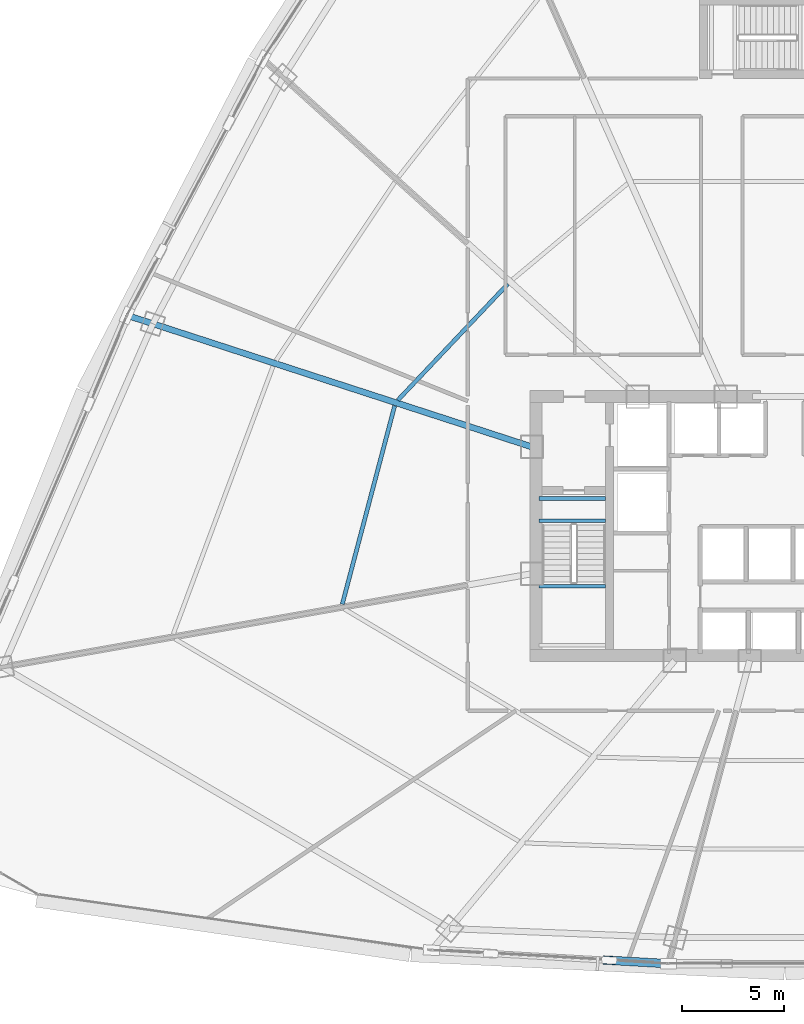
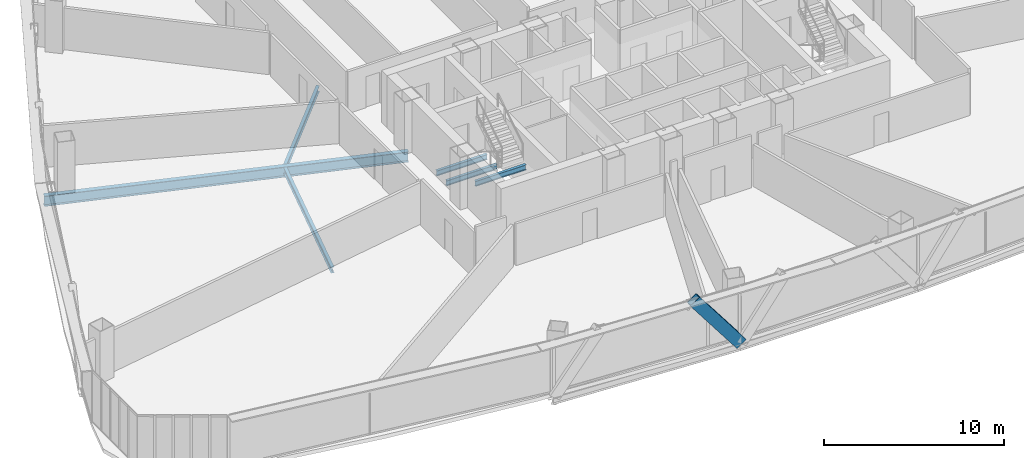
# One storey, part 9 of 41: 6 beams, 1 member.
"""IFC4 building model written with IfcOpenShell, lengths in metres."""

from ifc_helpers import new_model, si_unit, direction, frame, origin, origin_2d, place, context, subcontext, project, spatial, hollow_rectangle, i_section, extrude, source, transform, mapped, material, material_profile, profile_set, type_object, element, save


model = new_model("IFC4")

# Units and contexts
model_context = context("Model", 3, precision=1e-05, world=origin(), true_north=direction((0.0, 1.0)))
body_context = subcontext(model_context, "Body", "Model", "MODEL_VIEW")
ifc_project = project(units=[si_unit("LENGTHUNIT", "METRE"), si_unit("AREAUNIT", "SQUARE_METRE"), si_unit("VOLUMEUNIT", "CUBIC_METRE"), si_unit("PLANEANGLEUNIT", "RADIAN"), si_unit("MASSUNIT", "GRAM", prefix="KILO"), si_unit("THERMODYNAMICTEMPERATUREUNIT", "KELVIN"), si_unit("POWERUNIT", "WATT")], contexts=[model_context])

# Site, building, storey
site_placement = place(None, origin())
site = spatial("IfcSite", under=ifc_project, at=site_placement, CompositionType="ELEMENT")
building_placement = place(site_placement, origin())
building = spatial("IfcBuilding", under=site, at=building_placement, Name="Yunzhuo Pagoda Commons", CompositionType="ELEMENT")
storey_placement = place(building_placement, frame((0.0, 0.0, 111.580078125)))
storey = spatial("IfcBuildingStorey", under=building, at=storey_placement, Name="L28", CompositionType="ELEMENT", Elevation=111.580078125)

# Beams
ifc_material_1 = material(Name="Structural steel Q355B", Category="steel")
ifc_material_profile_1 = material_profile(ifc_material_1, i_section(OverallWidth=0.175048828125, OverallDepth=0.35009765625, WebThickness=0.007080078125, FlangeThickness=0.010986328125, at=origin_2d()), Name="Structural steel Q355B")
ifc_profile_set_1 = profile_set([ifc_material_profile_1], Name="Structural steel Q355B")
beam_type_1 = type_object("IfcBeamType", Name="B-JS2 Joist HN 350x175x7x11", PredefinedType="JOIST", material=ifc_profile_set_1)
shared_shape_1 = source(origin(), body_context, "Body", "SweptSolid", [
    extrude(i_section(OverallWidth=0.175048828125, OverallDepth=0.35009765625, WebThickness=0.007080078125, FlangeThickness=0.010986328125, at=origin_2d()), origin(), (0.0, 0.0, 1.0), 3.25),
])
for number, where, z_axis, x_axis, name in (
    (1, (35.949951171875, 30.89990234375, 1.525146484375), (1.0, 0.0, 0.0), (0.0, 1.0, 0.0), "L28 ST1 landing support beam 34B"),
    (2, (35.949951171875, 34.10009765625, -0.375), (1.0, 0.0, 0.0), (0.0, 1.0, 0.0), "L28 ST1 landing support beam 132A"),
    (3, (35.949951171875, 35.199951171875, -0.375), (1.0, 0.0, 0.0), (0.0, 1.0, 0.0), "L28 ST1 landing support beam 132B"),
):
    element("IfcBeam", number, at=place(storey_placement, frame(where, z_axis=z_axis, x_axis=x_axis)), inside=storey, type_object=beam_type_1, Name=name, PredefinedType="JOIST", context=body_context, shape_type="MappedRepresentation", body=[
        mapped(shared_shape_1, transform((0.0, 0.0, 0.0), scale=1.0)),
    ])
ifc_material_profile_2 = material_profile(ifc_material_1, i_section(OverallWidth=0.199951171875, OverallDepth=0.39990234375, WebThickness=0.008056640625, FlangeThickness=0.012939453125, at=origin_2d()), Name="Structural steel Q355B")
ifc_profile_set_2 = profile_set([ifc_material_profile_2], Name="Structural steel Q355B")
beam_type_2 = type_object("IfcBeamType", Name="B-JS1 Joist HN 400x200x8x13", PredefinedType="JOIST", material=ifc_profile_set_2)
shared_shape_2 = source(origin(), body_context, "Body", "SweptSolid", [
    extrude(i_section(OverallWidth=0.199951171875, OverallDepth=0.39990234375, WebThickness=0.008056640625, FlangeThickness=0.012939453125, at=origin_2d()), origin(), (0.0, 0.0, 1.0), 10.0634765625),
])
beam_1_placement = place(storey_placement, frame((28.86669921875, 39.749755859375, -0.4599609375), z_axis=(-0.255289713136, -0.966864603948, 0.0), x_axis=(0.966864603948, -0.255289713136, 0.0)))
element("IfcBeam", 4, at=beam_1_placement, inside=storey, type_object=beam_type_2, Name="L28 composite ring joist 1.11", PredefinedType="JOIST", context=body_context, shape_type="MappedRepresentation", body=[
    mapped(shared_shape_2, transform((0.0, 0.0, 0.0), scale=1.0)),
])
shared_shape_3 = source(origin(), body_context, "Body", "SweptSolid", [
    extrude(i_section(OverallWidth=0.199951171875, OverallDepth=0.39990234375, WebThickness=0.008056640625, FlangeThickness=0.012939453125, at=origin_2d()), origin(), (0.0, 0.0, 1.0), 7.85009765625),
])
beam_2_placement = place(storey_placement, frame((34.41357421875, 45.719482421875, -0.4599609375), z_axis=(-0.687513423145, -0.726171669095, 0.0), x_axis=(0.726171669095, -0.687513423145, 0.0)))
element("IfcBeam", 5, at=beam_2_placement, inside=storey, type_object=beam_type_2, Name="L28 composite ring joist 1.10", PredefinedType="JOIST", context=body_context, shape_type="MappedRepresentation", body=[
    mapped(shared_shape_3, transform((0.0, 0.0, 0.0), scale=1.0)),
])
ifc_material_profile_3 = material_profile(ifc_material_1, i_section(OverallWidth=0.300048828125, OverallDepth=0.699951171875, WebThickness=0.012939453125, FlangeThickness=0.02392578125, at=origin_2d()), Name="Structural steel Q355B")
ifc_profile_set_3 = profile_set([ifc_material_profile_3], Name="Structural steel Q355B")
beam_type_3 = type_object("IfcBeamType", Name="B-RG1 Beam HN 700x300x13x24", PredefinedType="BEAM", material=ifc_profile_set_3)
shared_shape_4 = source(origin(), body_context, "Body", "SweptSolid", [
    extrude(i_section(OverallWidth=0.300048828125, OverallDepth=0.699951171875, WebThickness=0.012939453125, FlangeThickness=0.02392578125, at=origin_2d()), origin(), (0.0, 0.0, 1.0), 20.725341796875),
])
beam_3_placement = place(storey_placement, frame((15.88916015625, 44.13330078125, -0.610107421875), z_axis=(0.951058997127, -0.309009359055, 0.0), x_axis=(0.309009359055, 0.951058997127, 0.0)))
element("IfcBeam", 6, at=beam_3_placement, inside=storey, type_object=beam_type_3, Name="L28 radial floor girder F3C3", PredefinedType="BEAM", context=body_context, shape_type="MappedRepresentation", body=[
    mapped(shared_shape_4, transform((0.0, 0.0, 0.0), scale=1.0)),
])

# Member
ifc_material_2 = material(Name="Structural steel Q420B", Category="steel")
ifc_material_profile_4 = material_profile(ifc_material_2, hollow_rectangle(XDim=0.419921875, YDim=0.719970703125, WallThickness=0.028076171875, at=origin_2d()), Name="Structural steel Q420B")
ifc_profile_set_4 = profile_set([ifc_material_profile_4], Name="Structural steel Q420B")
member_type = type_object("IfcMemberType", Name="M-DL1 Brace BOX 720x420x28", PredefinedType="BRACE", material=ifc_profile_set_4)
shared_shape_5 = source(origin(), body_context, "Body", "SweptSolid", [
    extrude(hollow_rectangle(XDim=0.419921875, YDim=0.719970703125, WallThickness=0.028076171875, at=origin_2d()), origin(), (0.0, 0.0, 1.0), 4.78515625),
])
member_placement = place(storey_placement, frame((42.290283203125, 12.39111328125, -0.260009765625), z_axis=(-0.606774883065, 0.034642238762, 0.794118477669), x_axis=(-0.056999586574, -0.998374201956, 0.0)))
element("IfcMember", 7, at=member_placement, inside=storey, type_object=member_type, Name="L28 facade diamond brace F1.1R", PredefinedType="BRACE", context=body_context, shape_type="MappedRepresentation", body=[
    mapped(shared_shape_5, transform((0.0, 0.0, 0.0), scale=1.0)),
])

save(model, "model.ifc")
